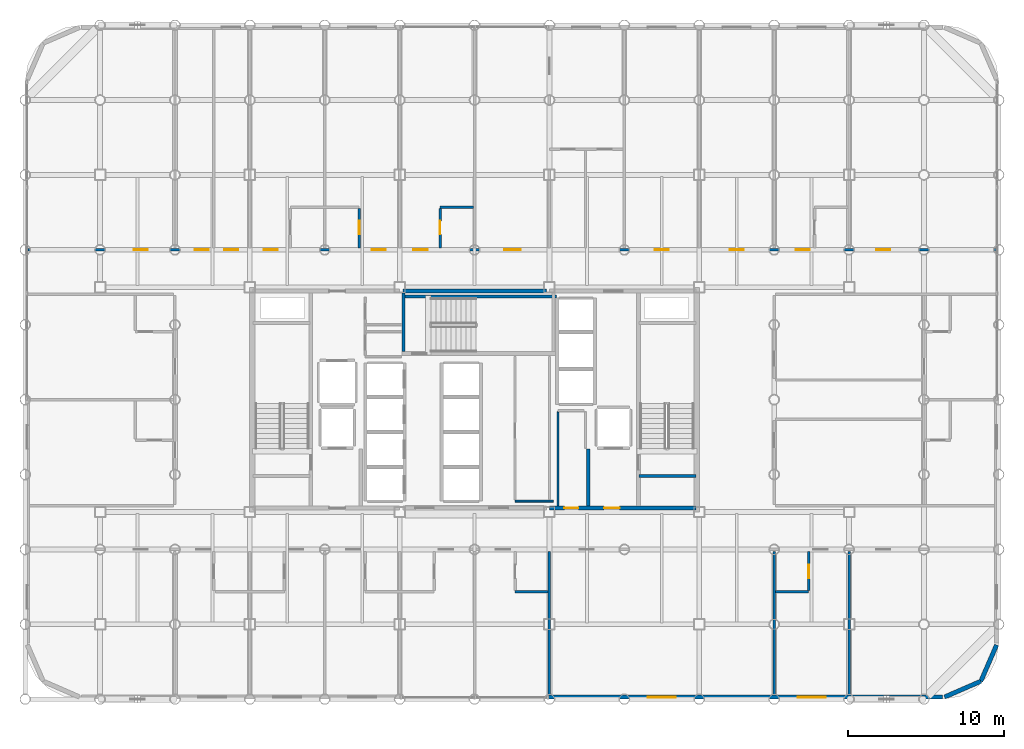
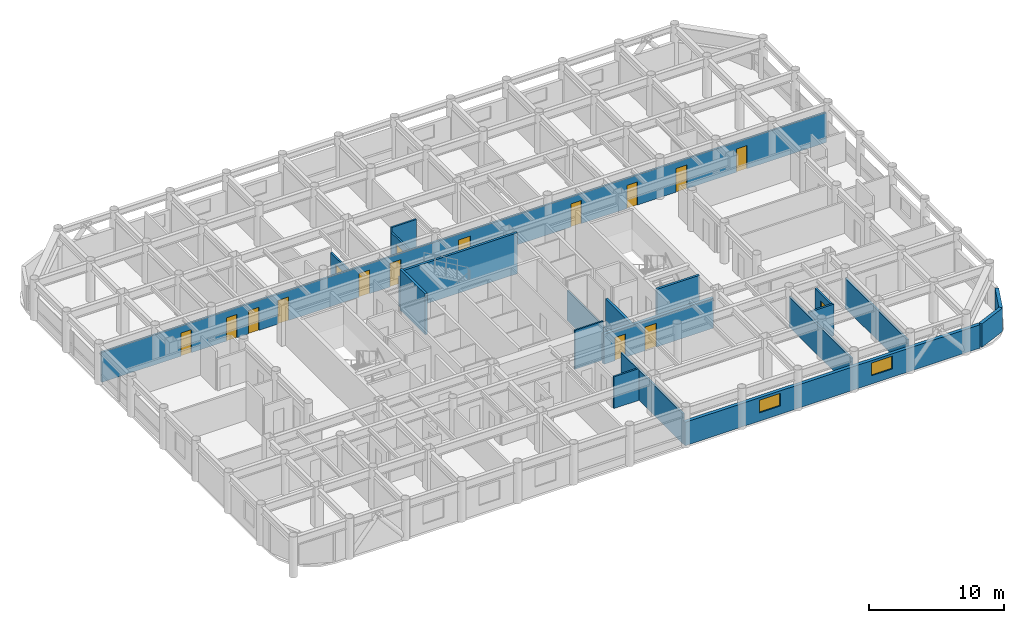
# One storey, part 19 of 22: 21 walls, 16 doors, 2 windows, 18 openings.
"""IFC4 building model written with IfcOpenShell, lengths in metres."""

from ifc_helpers import new_model, si_unit, direction, frame, frame_2d, origin, place, context, subcontext, project, spatial, rectangle, extrude, material, layer, layer_set, type_object, element, fill, save


model = new_model("IFC4")

# Units and contexts
model_context = context("Model", 3, precision=1e-05, world=origin(), true_north=direction((0.0, 1.0)))
body_context = subcontext(model_context, "Body", "Model", "MODEL_VIEW")
ifc_project = project(units=[si_unit("LENGTHUNIT", "METRE"), si_unit("AREAUNIT", "SQUARE_METRE"), si_unit("VOLUMEUNIT", "CUBIC_METRE"), si_unit("PLANEANGLEUNIT", "RADIAN"), si_unit("MASSUNIT", "GRAM", prefix="KILO")], contexts=[model_context])

# Site, building, storey
site_placement = place(None, origin())
site = spatial("IfcSite", under=ifc_project, at=site_placement, CompositionType="ELEMENT")
building_placement = place(site_placement, origin())
building = spatial("IfcBuilding", under=site, at=building_placement, Name="Kallvorn Hotel Tower", CompositionType="ELEMENT")
storey_placement = place(building_placement, frame((0.0, 0.0, 110.0)))
storey = spatial("IfcBuildingStorey", under=building, at=storey_placement, Name="L26", CompositionType="ELEMENT", Elevation=110.0)

# Walls
ifc_material_1 = material(Name="Fire-rated double-layer acoustic gypsum drywall EI 60")
ifc_layer_1 = layer(ifc_material_1, 0.159912109375)
ifc_layer_set_1 = layer_set([ifc_layer_1], Name="WL_DEMISE_160")
wall_type_1 = type_object("IfcWallType", Name="WL_DEMISE_160", PredefinedType="PARTITIONING", material=ifc_layer_set_1)
for number, where, z_axis, x_axis, name in (
    (1, (2.590087890625, -12.320068359375, 0.0), (0.0, 0.0, 1.0), (1.0, 0.0, 0.0), "L26 Suite 2609 Superior Twin Room Partition"),
    (2, (19.280029296875, -12.320068359375, 0.0), (0.0, 0.0, 1.0), (1.0, 0.0, 0.0), "L26 Suite 2610 Superior Twin Room Partition"),
):
    element("IfcWall", number, at=place(storey_placement, frame(where, z_axis=z_axis, x_axis=x_axis)), inside=storey, type_object=wall_type_1, Name=name, PredefinedType="PARTITIONING", context=body_context, shape_type="SweptSolid", body=[
        extrude(rectangle(XDim=2.1298828125, YDim=0.159912109375, at=frame_2d((1.06494140625, 0.0))), origin(), (0.0, 0.0, 1.0), 2.8701171875),
    ])

# Wall, openings, doors
wall_1_placement = place(storey_placement, frame((-28.6298828125, 9.60009765625, 0.0), z_axis=(0.0, 0.0, 1.0), x_axis=(1.0, 0.0, 0.0)))
wall_1 = element("IfcWall", 3, at=wall_1_placement, inside=storey, type_object=wall_type_1, Name="L26 Suite 2611 Standard Twin Room Partition", PredefinedType="PARTITIONING", context=body_context, shape_type="SweptSolid", body=[
    extrude(rectangle(XDim=62.059814453125, YDim=0.159912109375, at=frame_2d((31.02978515625, 0.0))), origin(), (0.0, 0.0, 1.0), 2.719970703125),
])
opening_1_placement = place(wall_1_placement, frame((6.799560546875, 0.0, 0.0)))
opening_1 = element("IfcOpeningElement", 4, at=opening_1_placement, cuts=wall_1, Name="Opening SVD1", PredefinedType="OPENING", context=body_context, shape_type="SweptSolid", body=[
    extrude(rectangle(XDim=0.89990234375, YDim=2.10009765625, at=frame_2d((0.449951171875, 1.050048828125))), frame((0.0, 0.094970703125, 0.0), z_axis=(0.0, -1.0, 0.0), x_axis=(1.0, 0.0, 0.0)), (0.0, 0.0, 1.0), 0.18994140625),
])
opening_2_placement = place(wall_1_placement, frame((54.360595703125, 0.0, 0.0)))
opening_2 = element("IfcOpeningElement", 5, at=opening_2_placement, cuts=wall_1, Name="Opening SVD1", PredefinedType="OPENING", context=body_context, shape_type="SweptSolid", body=[
    extrude(rectangle(XDim=0.89990234375, YDim=2.10009765625, at=frame_2d((0.449951171875, 1.050048828125))), frame((0.0, 0.094970703125, 0.0), z_axis=(0.0, -1.0, 0.0), x_axis=(1.0, 0.0, 0.0)), (0.0, 0.0, 1.0), 0.18994140625),
])
opening_3_placement = place(wall_1_placement, frame((10.68994140625, 0.0, 0.0)))
opening_3 = element("IfcOpeningElement", 6, at=opening_3_placement, cuts=wall_1, Name="Opening SVD1", PredefinedType="OPENING", context=body_context, shape_type="SweptSolid", body=[
    extrude(rectangle(XDim=0.89990234375, YDim=2.10009765625, at=frame_2d((0.449951171875, 1.050048828125))), frame((0.0, 0.094970703125, 0.0), z_axis=(0.0, -1.0, 0.0), x_axis=(1.0, 0.0, 0.0)), (0.0, 0.0, 1.0), 0.18994140625),
])
opening_4_placement = place(wall_1_placement, frame((12.580078125, 0.0, 0.0)))
opening_4 = element("IfcOpeningElement", 7, at=opening_4_placement, cuts=wall_1, Name="Opening SVD1", PredefinedType="OPENING", context=body_context, shape_type="SweptSolid", body=[
    extrude(rectangle(XDim=0.89990234375, YDim=2.10009765625, at=frame_2d((0.449951171875, 1.050048828125))), frame((0.0, 0.094970703125, 0.0), z_axis=(0.0, -1.0, 0.0), x_axis=(1.0, 0.0, 0.0)), (0.0, 0.0, 1.0), 0.18994140625),
])
opening_5_placement = place(wall_1_placement, frame((15.10498046875, 0.0, 0.0)))
opening_5 = element("IfcOpeningElement", 8, at=opening_5_placement, cuts=wall_1, Name="Opening GD1", PredefinedType="OPENING", context=body_context, shape_type="SweptSolid", body=[
    extrude(rectangle(XDim=0.919921875, YDim=2.14990234375, at=frame_2d((0.4599609375, 1.074951171875))), frame((0.0, 0.094970703125, 0.0), z_axis=(0.0, -1.0, 0.0), x_axis=(1.0, 0.0, 0.0)), (0.0, 0.0, 1.0), 0.18994140625),
])
opening_6_placement = place(wall_1_placement, frame((22.034912109375, 0.0, 0.0)))
opening_6 = element("IfcOpeningElement", 9, at=opening_6_placement, cuts=wall_1, Name="Opening GD1", PredefinedType="OPENING", context=body_context, shape_type="SweptSolid", body=[
    extrude(rectangle(XDim=0.919921875, YDim=2.14990234375, at=frame_2d((0.4599609375, 1.074951171875))), frame((0.0, 0.094970703125, 0.0), z_axis=(0.0, -1.0, 0.0), x_axis=(1.0, 0.0, 0.0)), (0.0, 0.0, 1.0), 0.18994140625),
])
opening_7_placement = place(wall_1_placement, frame((24.705078125, 0.0, 0.0)))
opening_7 = element("IfcOpeningElement", 10, at=opening_7_placement, cuts=wall_1, Name="Opening GD1", PredefinedType="OPENING", context=body_context, shape_type="SweptSolid", body=[
    extrude(rectangle(XDim=0.919921875, YDim=2.14990234375, at=frame_2d((0.4599609375, 1.074951171875))), frame((0.0, 0.094970703125, 0.0), z_axis=(0.0, -1.0, 0.0), x_axis=(1.0, 0.0, 0.0)), (0.0, 0.0, 1.0), 0.18994140625),
])
opening_8_placement = place(wall_1_placement, frame((30.544921875, 0.0, 0.0)))
opening_8 = element("IfcOpeningElement", 11, at=opening_8_placement, cuts=wall_1, Name="Opening GD2", PredefinedType="OPENING", context=body_context, shape_type="SweptSolid", body=[
    extrude(rectangle(XDim=1.050048828125, YDim=2.199951171875, at=frame_2d((0.52490234375, 1.10009765625))), frame((0.0, 0.094970703125, 0.0), z_axis=(0.0, -1.0, 0.0), x_axis=(1.0, 0.0, 0.0)), (0.0, 0.0, 1.0), 0.18994140625),
])
opening_9_placement = place(wall_1_placement, frame((40.179931640625, 0.0, 0.0)))
opening_9 = element("IfcOpeningElement", 12, at=opening_9_placement, cuts=wall_1, Name="Opening SVD1", PredefinedType="OPENING", context=body_context, shape_type="SweptSolid", body=[
    extrude(rectangle(XDim=0.89990234375, YDim=2.10009765625, at=frame_2d((0.449951171875, 1.050048828125))), frame((0.0, 0.094970703125, 0.0), z_axis=(0.0, -1.0, 0.0), x_axis=(1.0, 0.0, 0.0)), (0.0, 0.0, 1.0), 0.18994140625),
])
opening_10_placement = place(wall_1_placement, frame((44.97998046875, 0.0, 0.0)))
opening_10 = element("IfcOpeningElement", 13, at=opening_10_placement, cuts=wall_1, Name="Opening SVD1", PredefinedType="OPENING", context=body_context, shape_type="SweptSolid", body=[
    extrude(rectangle(XDim=0.89990234375, YDim=2.10009765625, at=frame_2d((0.449951171875, 1.050048828125))), frame((0.0, 0.094970703125, 0.0), z_axis=(0.0, -1.0, 0.0), x_axis=(1.0, 0.0, 0.0)), (0.0, 0.0, 1.0), 0.18994140625),
])
opening_11_placement = place(wall_1_placement, frame((49.199951171875, 0.0, 0.0)))
opening_11 = element("IfcOpeningElement", 14, at=opening_11_placement, cuts=wall_1, Name="Opening GD1", PredefinedType="OPENING", context=body_context, shape_type="SweptSolid", body=[
    extrude(rectangle(XDim=0.919921875, YDim=2.14990234375, at=frame_2d((0.4599609375, 1.074951171875))), frame((0.0, 0.094970703125, 0.0), z_axis=(0.0, -1.0, 0.0), x_axis=(1.0, 0.0, 0.0)), (0.0, 0.0, 1.0), 0.18994140625),
])
ifc_material_2 = material(Name="Solid-core walnut veneer fire-rated timber door leaf", Category="wood")
door_type_1 = type_object("IfcDoorType", Name="DR_GUEST_920x2150", OperationType="NOTDEFINED", PredefinedType="DOOR", material=ifc_material_2)
door_1_placement = place(opening_5_placement, origin())
door_1 = element("IfcDoor", 15, at=door_1_placement, inside=storey, type_object=door_type_1, Name="L26 Suite 2611 Standard Twin Room Door", OperationType="SINGLE_SWING_RIGHT", OverallHeight=2.14990234375, OverallWidth=0.919921875, PredefinedType="DOOR", context=body_context, shape_type="SweptSolid", body=[
    extrude(rectangle(XDim=0.919921875, YDim=2.14990234375, at=frame_2d((0.4599609375, 1.074951171875))), frame((0.0, 0.02490234375, 0.0), z_axis=(0.0, -1.0, 0.0), x_axis=(1.0, 0.0, 0.0)), (0.0, 0.0, 1.0), 0.050048828125),
])
fill(opening_5, door_1)
door_2_placement = place(opening_6_placement, origin())
door_2 = element("IfcDoor", 16, at=door_2_placement, inside=storey, type_object=door_type_1, Name="L26 Suite 2612 Standard Twin Room Door", OperationType="SINGLE_SWING_LEFT", OverallHeight=2.14990234375, OverallWidth=0.919921875, PredefinedType="DOOR", context=body_context, shape_type="SweptSolid", body=[
    extrude(rectangle(XDim=0.919921875, YDim=2.14990234375, at=frame_2d((0.4599609375, 1.074951171875))), frame((0.0, 0.02490234375, 0.0), z_axis=(0.0, -1.0, 0.0), x_axis=(1.0, 0.0, 0.0)), (0.0, 0.0, 1.0), 0.050048828125),
])
fill(opening_6, door_2)
door_3_placement = place(opening_7_placement, origin())
door_3 = element("IfcDoor", 17, at=door_3_placement, inside=storey, type_object=door_type_1, Name="L26 Suite 2613 Standard Twin Room Door", OperationType="SINGLE_SWING_LEFT", OverallHeight=2.14990234375, OverallWidth=0.919921875, PredefinedType="DOOR", context=body_context, shape_type="SweptSolid", body=[
    extrude(rectangle(XDim=0.919921875, YDim=2.14990234375, at=frame_2d((0.4599609375, 1.074951171875))), frame((0.0, 0.02490234375, 0.0), z_axis=(0.0, -1.0, 0.0), x_axis=(1.0, 0.0, 0.0)), (0.0, 0.0, 1.0), 0.050048828125),
])
fill(opening_7, door_3)
door_4_placement = place(opening_11_placement, origin())
door_4 = element("IfcDoor", 18, at=door_4_placement, inside=storey, type_object=door_type_1, Name="L26 Suite 2615 Standard Twin Room Door", OperationType="SINGLE_SWING_LEFT", OverallHeight=2.14990234375, OverallWidth=0.919921875, PredefinedType="DOOR", context=body_context, shape_type="SweptSolid", body=[
    extrude(rectangle(XDim=0.919921875, YDim=2.14990234375, at=frame_2d((0.4599609375, 1.074951171875))), frame((0.0, 0.02490234375, 0.0), z_axis=(0.0, -1.0, 0.0), x_axis=(1.0, 0.0, 0.0)), (0.0, 0.0, 1.0), 0.050048828125),
])
fill(opening_11, door_4)
ifc_material_3 = material(Name="Galvanised painted steel fire-rated door assembly", Category="steel")
door_type_2 = type_object("IfcDoorType", Name="DR_SERV_900x2100", OperationType="NOTDEFINED", PredefinedType="DOOR", material=ifc_material_3)
door_5_placement = place(opening_1_placement, origin())
door_5 = element("IfcDoor", 19, at=door_5_placement, inside=storey, type_object=door_type_2, Name="L26 L26 North-West Fitness Gymnasium Door", OperationType="SINGLE_SWING_LEFT", OverallHeight=2.10009765625, OverallWidth=0.89990234375, PredefinedType="DOOR", context=body_context, shape_type="SweptSolid", body=[
    extrude(rectangle(XDim=0.89990234375, YDim=2.10009765625, at=frame_2d((0.449951171875, 1.050048828125))), frame((0.0, 0.02490234375, 0.0), z_axis=(0.0, -1.0, 0.0), x_axis=(1.0, 0.0, 0.0)), (0.0, 0.0, 1.0), 0.050048828125),
])
fill(opening_1, door_5)
door_6_placement = place(opening_2_placement, origin())
door_6 = element("IfcDoor", 20, at=door_6_placement, inside=storey, type_object=door_type_2, Name="L26 L26 North-East Reading Club Door", OperationType="SINGLE_SWING_RIGHT", OverallHeight=2.10009765625, OverallWidth=0.89990234375, PredefinedType="DOOR", context=body_context, shape_type="SweptSolid", body=[
    extrude(rectangle(XDim=0.89990234375, YDim=2.10009765625, at=frame_2d((0.449951171875, 1.050048828125))), frame((0.0, 0.02490234375, 0.0), z_axis=(0.0, -1.0, 0.0), x_axis=(1.0, 0.0, 0.0)), (0.0, 0.0, 1.0), 0.050048828125),
])
fill(opening_2, door_6)
door_7_placement = place(opening_3_placement, origin())
door_7 = element("IfcDoor", 21, at=door_7_placement, inside=storey, type_object=door_type_2, Name="L26 Housekeeping and Linen Room Door", OperationType="SINGLE_SWING_LEFT", OverallHeight=2.10009765625, OverallWidth=0.89990234375, PredefinedType="DOOR", context=body_context, shape_type="SweptSolid", body=[
    extrude(rectangle(XDim=0.89990234375, YDim=2.10009765625, at=frame_2d((0.449951171875, 1.050048828125))), frame((0.0, 0.02490234375, 0.0), z_axis=(0.0, -1.0, 0.0), x_axis=(1.0, 0.0, 0.0)), (0.0, 0.0, 1.0), 0.050048828125),
])
fill(opening_3, door_7)
door_8_placement = place(opening_4_placement, origin())
door_8 = element("IfcDoor", 22, at=door_8_placement, inside=storey, type_object=door_type_2, Name="L26 Guest Tea and Refreshment Bar Door", OperationType="SINGLE_SWING_LEFT", OverallHeight=2.10009765625, OverallWidth=0.89990234375, PredefinedType="DOOR", context=body_context, shape_type="SweptSolid", body=[
    extrude(rectangle(XDim=0.89990234375, YDim=2.10009765625, at=frame_2d((0.449951171875, 1.050048828125))), frame((0.0, 0.02490234375, 0.0), z_axis=(0.0, -1.0, 0.0), x_axis=(1.0, 0.0, 0.0)), (0.0, 0.0, 1.0), 0.050048828125),
])
fill(opening_4, door_8)
door_9_placement = place(opening_9_placement, origin())
door_9 = element("IfcDoor", 23, at=door_9_placement, inside=storey, type_object=door_type_2, Name="L26 L26 Diplomatic Summit Conference Boardroom 6-1 Door", OperationType="SINGLE_SWING_RIGHT", OverallHeight=2.10009765625, OverallWidth=0.89990234375, PredefinedType="DOOR", context=body_context, shape_type="SweptSolid", body=[
    extrude(rectangle(XDim=0.89990234375, YDim=2.10009765625, at=frame_2d((0.449951171875, 1.050048828125))), frame((0.0, 0.02490234375, 0.0), z_axis=(0.0, -1.0, 0.0), x_axis=(1.0, 0.0, 0.0)), (0.0, 0.0, 1.0), 0.050048828125),
])
fill(opening_9, door_9)
door_10_placement = place(opening_10_placement, origin())
door_10 = element("IfcDoor", 24, at=door_10_placement, inside=storey, type_object=door_type_2, Name="L26 L26 Diplomatic Summit Conference Boardroom 6-2 Door", OperationType="SINGLE_SWING_LEFT", OverallHeight=2.10009765625, OverallWidth=0.89990234375, PredefinedType="DOOR", context=body_context, shape_type="SweptSolid", body=[
    extrude(rectangle(XDim=0.89990234375, YDim=2.10009765625, at=frame_2d((0.449951171875, 1.050048828125))), frame((0.0, 0.02490234375, 0.0), z_axis=(0.0, -1.0, 0.0), x_axis=(1.0, 0.0, 0.0)), (0.0, 0.0, 1.0), 0.050048828125),
])
fill(opening_10, door_10)
ifc_material_4 = material(Name="Solid-core walnut veneer fire-rated timber door leaf", Category="wood")
door_type_3 = type_object("IfcDoorType", Name="DR_SUITE_1050x2200", OperationType="NOTDEFINED", PredefinedType="DOOR", material=ifc_material_4)
door_11_placement = place(opening_8_placement, origin())
door_11 = element("IfcDoor", 25, at=door_11_placement, inside=storey, type_object=door_type_3, Name="L26 Suite 2614 Junior Living Salon Door", OperationType="SINGLE_SWING_LEFT", OverallHeight=2.199951171875, OverallWidth=1.050048828125, PredefinedType="DOOR", context=body_context, shape_type="SweptSolid", body=[
    extrude(rectangle(XDim=1.050048828125, YDim=2.199951171875, at=frame_2d((0.52490234375, 1.10009765625))), frame((0.0, 0.02490234375, 0.0), z_axis=(0.0, -1.0, 0.0), x_axis=(1.0, 0.0, 0.0)), (0.0, 0.0, 1.0), 0.050048828125),
])
fill(opening_8, door_11)

# Wall
wall_2_placement = place(storey_placement, frame((-2.2099609375, 12.320068359375, 0.0), z_axis=(0.0, 0.0, 1.0), x_axis=(1.0, 0.0, 0.0)))
element("IfcWall", 26, at=wall_2_placement, inside=storey, type_object=wall_type_1, Name="L26 Suite 2613 Standard Twin Room Partition", PredefinedType="PARTITIONING", context=body_context, shape_type="SweptSolid", body=[
    extrude(rectangle(XDim=2.1298828125, YDim=0.159912109375, at=frame_2d((1.06494140625, 0.0))), origin(), (0.0, 0.0, 1.0), 3.1201171875),
])

# Wall, opening, door
wall_3_placement = place(storey_placement, frame((-7.389892578125, 9.719970703125, 0.0), z_axis=(0.0, 0.0, 1.0), x_axis=(0.0, 1.0, 0.0)))
wall_3 = element("IfcWall", 27, at=wall_3_placement, inside=storey, type_object=wall_type_1, Name="L26 Suite 2612 Standard Twin Room Partition", PredefinedType="PARTITIONING", context=body_context, shape_type="SweptSolid", body=[
    extrude(rectangle(XDim=2.51513671875, YDim=0.159912109375, at=frame_2d((1.257568359375, 0.0))), origin(), (0.0, 0.0, 1.0), 2.719970703125),
])
opening_12_placement = place(wall_3_placement, frame((0.8701171875, 0.0, 0.0)))
opening_12 = element("IfcOpeningElement", 28, at=opening_12_placement, cuts=wall_3, Name="Opening BD-I", PredefinedType="OPENING", context=body_context, shape_type="SweptSolid", body=[
    extrude(rectangle(XDim=0.860107421875, YDim=2.10009765625, at=frame_2d((0.43017578125, 1.050048828125))), frame((0.0, 0.094970703125, 0.0), z_axis=(0.0, -1.0, 0.0), x_axis=(1.0, 0.0, 0.0)), (0.0, 0.0, 1.0), 0.18994140625),
])
ifc_material_5 = material(Name="Solid-core walnut veneer fire-rated timber door leaf", Category="wood")
door_type_4 = type_object("IfcDoorType", Name="DR_BATH_860x2100", OperationType="NOTDEFINED", PredefinedType="DOOR", material=ifc_material_5)
door_12_placement = place(opening_12_placement, origin())
door_12 = element("IfcDoor", 29, at=door_12_placement, inside=storey, type_object=door_type_4, Name="L26 Suite 2612 En-Suite Bathroom Door", OperationType="SINGLE_SWING_RIGHT", OverallHeight=2.10009765625, OverallWidth=0.860107421875, PredefinedType="DOOR", context=body_context, shape_type="SweptSolid", body=[
    extrude(rectangle(XDim=0.860107421875, YDim=2.10009765625, at=frame_2d((0.43017578125, 1.050048828125))), frame((0.0, 0.02490234375, 0.0), z_axis=(0.0, -1.0, 0.0), x_axis=(1.0, 0.0, 0.0)), (0.0, 0.0, 1.0), 0.050048828125),
])
fill(opening_12, door_12)

wall_4_placement = place(storey_placement, frame((-2.2099609375, 9.719970703125, 0.0), z_axis=(0.0, 0.0, 1.0), x_axis=(0.0, 1.0, 0.0)))
wall_4 = element("IfcWall", 30, at=wall_4_placement, inside=storey, type_object=wall_type_1, Name="L26 Suite 2613 Standard Twin Room Partition", PredefinedType="PARTITIONING", context=body_context, shape_type="SweptSolid", body=[
    extrude(rectangle(XDim=2.51513671875, YDim=0.159912109375, at=frame_2d((1.257568359375, 0.0))), origin(), (0.0, 0.0, 1.0), 2.719970703125),
])
opening_13_placement = place(wall_4_placement, frame((0.8701171875, 0.0, 0.0)))
opening_13 = element("IfcOpeningElement", 31, at=opening_13_placement, cuts=wall_4, Name="Opening BD-I", PredefinedType="OPENING", context=body_context, shape_type="SweptSolid", body=[
    extrude(rectangle(XDim=0.860107421875, YDim=2.10009765625, at=frame_2d((0.43017578125, 1.050048828125))), frame((0.0, 0.094970703125, 0.0), z_axis=(0.0, -1.0, 0.0), x_axis=(1.0, 0.0, 0.0)), (0.0, 0.0, 1.0), 0.18994140625),
])
door_13_placement = place(opening_13_placement, origin())
door_13 = element("IfcDoor", 32, at=door_13_placement, inside=storey, type_object=door_type_4, Name="L26 Suite 2613 En-Suite Bathroom Door", OperationType="SINGLE_SWING_LEFT", OverallHeight=2.10009765625, OverallWidth=0.860107421875, PredefinedType="DOOR", context=body_context, shape_type="SweptSolid", body=[
    extrude(rectangle(XDim=0.860107421875, YDim=2.10009765625, at=frame_2d((0.43017578125, 1.050048828125))), frame((0.0, 0.02490234375, 0.0), z_axis=(0.0, -1.0, 0.0), x_axis=(1.0, 0.0, 0.0)), (0.0, 0.0, 1.0), 0.050048828125),
])
fill(opening_13, door_13)

# Walls
for number, where, z_axis, x_axis, name in (
    (33, (4.800048828125, -18.909912109375, 0.0), (0.0, 0.0, 1.0), (0.0, 1.0, 0.0), "L26 Suite 2609 Superior Twin Room Partition"),
    (34, (19.199951171875, -18.909912109375, 0.0), (0.0, 0.0, 1.0), (0.0, 1.0, 0.0), "L26 Suite 2610 Superior Twin Room Partition"),
):
    element("IfcWall", number, at=place(storey_placement, frame(where, z_axis=z_axis, x_axis=x_axis)), inside=storey, type_object=wall_type_1, Name=name, PredefinedType="PARTITIONING", context=body_context, shape_type="SweptSolid", body=[
        extrude(rectangle(XDim=9.18994140625, YDim=0.159912109375, at=frame_2d((4.594970703125, 0.0))), origin(), (0.0, 0.0, 1.0), 2.719970703125),
    ])

# Wall, opening, door
wall_5_placement = place(storey_placement, frame((21.409912109375, -12.235107421875, 0.0), z_axis=(0.0, 0.0, 1.0), x_axis=(0.0, 1.0, 0.0)))
wall_5 = element("IfcWall", 35, at=wall_5_placement, inside=storey, type_object=wall_type_1, Name="L26 Suite 2610 Superior Twin Room Partition", PredefinedType="PARTITIONING", context=body_context, shape_type="SweptSolid", body=[
    extrude(rectangle(XDim=2.51513671875, YDim=0.159912109375, at=frame_2d((1.257568359375, 0.0))), origin(), (0.0, 0.0, 1.0), 2.719970703125),
])
opening_14_placement = place(wall_5_placement, frame((0.784912109375, 0.0, 0.0)))
opening_14 = element("IfcOpeningElement", 36, at=opening_14_placement, cuts=wall_5, Name="Opening BD-I", PredefinedType="OPENING", context=body_context, shape_type="SweptSolid", body=[
    extrude(rectangle(XDim=0.860107421875, YDim=2.10009765625, at=frame_2d((0.43017578125, 1.050048828125))), frame((0.0, 0.094970703125, 0.0), z_axis=(0.0, -1.0, 0.0), x_axis=(1.0, 0.0, 0.0)), (0.0, 0.0, 1.0), 0.18994140625),
])
door_14_placement = place(opening_14_placement, origin())
door_14 = element("IfcDoor", 37, at=door_14_placement, inside=storey, type_object=door_type_4, Name="L26 Suite 2610 En-Suite Bathroom Door", OperationType="SINGLE_SWING_RIGHT", OverallHeight=2.10009765625, OverallWidth=0.860107421875, PredefinedType="DOOR", context=body_context, shape_type="SweptSolid", body=[
    extrude(rectangle(XDim=0.860107421875, YDim=2.10009765625, at=frame_2d((0.43017578125, 1.050048828125))), frame((0.0, 0.02490234375, 0.0), z_axis=(0.0, -1.0, 0.0), x_axis=(1.0, 0.0, 0.0)), (0.0, 0.0, 1.0), 0.050048828125),
])
fill(opening_14, door_14)

# Walls
wall_6_placement = place(storey_placement, frame((24.0, -18.909912109375, 0.0), z_axis=(0.0, 0.0, 1.0), x_axis=(0.0, 1.0, 0.0)))
element("IfcWall", 38, at=wall_6_placement, inside=storey, type_object=wall_type_1, Name="L26 Suite 2610 Superior Twin Room Partition", PredefinedType="PARTITIONING", context=body_context, shape_type="SweptSolid", body=[
    extrude(rectangle(XDim=9.18994140625, YDim=0.159912109375, at=frame_2d((4.594970703125, 0.0))), origin(), (0.0, 0.0, 1.0), 2.719970703125),
])
ifc_material_6 = material(Name="Precast basalt-clad insulated concrete wall C40/50", Category="masonry")
ifc_layer_2 = layer(ifc_material_6, 0.280029296875)
ifc_layer_set_2 = layer_set([ifc_layer_2], Name="WL_EXT_LOGGIA_280")
wall_type_2 = type_object("IfcWallType", Name="WL_EXT_LOGGIA_280", PredefinedType="SOLIDWALL", material=ifc_layer_set_2)
wall_7_placement = place(storey_placement, frame((30.120849609375, -19.057861328125, 0.0), z_axis=(0.0, 0.0, 1.0), x_axis=(0.917060872934, 0.398747232384, 0.0)))
element("IfcWall", 39, at=wall_7_placement, inside=storey, type_object=wall_type_2, Name="L26 Rounded Corner Exterior Wall SE1", PredefinedType="SOLIDWALL", context=body_context, shape_type="SweptSolid", body=[
    extrude(rectangle(XDim=2.5361328125, YDim=0.280029296875, at=frame_2d((1.26806640625, 0.0))), origin(), (0.0, 0.0, 1.0), 2.1201171875),
])
wall_8_placement = place(storey_placement, frame((32.446533203125, -18.046630859375, 0.0), z_axis=(0.0, 0.0, 1.0), x_axis=(0.398792985289, 0.917040977756, 0.0)))
element("IfcWall", 40, at=wall_8_placement, inside=storey, type_object=wall_type_2, Name="L26 Rounded Corner Exterior Wall SE2", PredefinedType="SOLIDWALL", context=body_context, shape_type="SweptSolid", body=[
    extrude(rectangle(XDim=2.536376953125, YDim=0.280029296875, at=frame_2d((1.26806640625, 0.0))), origin(), (0.0, 0.0, 1.0), 2.1201171875),
])

# Wall, openings, windows
wall_9_placement = place(storey_placement, frame((4.75, -19.06005859375, 0.0), z_axis=(0.0, 0.0, 1.0), x_axis=(1.0, 0.0, 0.0)))
wall_9 = element("IfcWall", 41, at=wall_9_placement, inside=storey, type_object=wall_type_2, Name="L26 Exterior Envelope Wall EW-L26-SE", PredefinedType="SOLIDWALL", context=body_context, shape_type="SweptSolid", body=[
    extrude(rectangle(XDim=25.25, YDim=0.280029296875, at=frame_2d((12.625, 0.0))), origin(), (0.0, 0.0, 1.0), 2.1201171875),
])
opening_15_placement = place(wall_9_placement, frame((6.35009765625, 0.0, 0.75)))
opening_15 = element("IfcOpeningElement", 42, at=opening_15_placement, cuts=wall_9, Name="Opening W04A", PredefinedType="OPENING", context=body_context, shape_type="SweptSolid", body=[
    extrude(rectangle(XDim=1.800048828125, YDim=1.14990234375, at=frame_2d((0.89990234375, 0.574951171875))), frame((0.0, 0.155029296875, 0.0), z_axis=(0.0, -1.0, 0.0), x_axis=(1.0, 0.0, 0.0)), (0.0, 0.0, 1.0), 0.31005859375),
])
opening_16_placement = place(wall_9_placement, frame((15.949951171875, 0.0, 0.75)))
opening_16 = element("IfcOpeningElement", 43, at=opening_16_placement, cuts=wall_9, Name="Opening W04A", PredefinedType="OPENING", context=body_context, shape_type="SweptSolid", body=[
    extrude(rectangle(XDim=1.800048828125, YDim=1.14990234375, at=frame_2d((0.89990234375, 0.574951171875))), frame((0.0, 0.155029296875, 0.0), z_axis=(0.0, -1.0, 0.0), x_axis=(1.0, 0.0, 0.0)), (0.0, 0.0, 1.0), 0.31005859375),
])
ifc_material_7 = material(Name="Double-glazed low-e solar-control dark glass", Category="glass")
window_type = type_object("IfcWindowType", Name="WN_HTL_1800x1150", PartitioningType="SINGLE_PANEL", PredefinedType="WINDOW", material=ifc_material_7)
window_1_placement = place(opening_15_placement, origin())
window_1 = element("IfcWindow", 44, at=window_1_placement, inside=storey, type_object=window_type, Name="L26 Guestroom Exterior Window 08", OverallHeight=1.14990234375, OverallWidth=1.800048828125, PartitioningType="SINGLE_PANEL", PredefinedType="WINDOW", context=body_context, shape_type="SweptSolid", body=[
    extrude(rectangle(XDim=1.800048828125, YDim=1.14990234375, at=frame_2d((0.89990234375, 0.574951171875))), frame((0.0, 0.030029296875, 0.0), z_axis=(0.0, -1.0, 0.0), x_axis=(1.0, 0.0, 0.0)), (0.0, 0.0, 1.0), 0.06005859375),
])
fill(opening_15, window_1)
window_2_placement = place(opening_16_placement, origin())
window_2 = element("IfcWindow", 45, at=window_2_placement, inside=storey, type_object=window_type, Name="L26 Guestroom Exterior Window 09", OverallHeight=1.14990234375, OverallWidth=1.800048828125, PartitioningType="SINGLE_PANEL", PredefinedType="WINDOW", context=body_context, shape_type="SweptSolid", body=[
    extrude(rectangle(XDim=1.800048828125, YDim=1.14990234375, at=frame_2d((0.89990234375, 0.574951171875))), frame((0.0, 0.030029296875, 0.0), z_axis=(0.0, -1.0, 0.0), x_axis=(1.0, 0.0, 0.0)), (0.0, 0.0, 1.0), 0.06005859375),
])
fill(opening_16, window_2)

# Walls
ifc_material_8 = material(Name="Concrete C40/50", Category="concrete")
ifc_layer_3 = layer(ifc_material_8, 0.219970703125)
ifc_layer_set_3 = layer_set([ifc_layer_3], Name="WL_FFL_220")
wall_type_3 = type_object("IfcWallType", Name="WL_FFL_220", PredefinedType="SOLIDWALL", material=ifc_layer_set_3)
wall_10_placement = place(storey_placement, frame((7.300048828125, -6.820068359375, 0.0), z_axis=(0.0, 0.0, 1.0), x_axis=(0.0, 1.0, 0.0)))
element("IfcWall", 46, at=wall_10_placement, inside=storey, type_object=wall_type_3, Name="L26 Firefighting Lobby East Divider Wall", PredefinedType="SOLIDWALL", context=body_context, shape_type="SweptSolid", body=[
    extrude(rectangle(XDim=3.670166015625, YDim=0.219970703125, at=frame_2d((1.8349609375, 0.0))), origin(), (0.0, 0.0, 1.0), 2.719970703125),
])
ifc_material_9 = material(Name="Concrete C40/50", Category="concrete")
ifc_layer_4 = layer(ifc_material_9, 0.199951171875)
ifc_layer_set_4 = layer_set([ifc_layer_4], Name="WL_HOIST_200")
wall_type_4 = type_object("IfcWallType", Name="WL_HOIST_200", PredefinedType="SOLIDWALL", material=ifc_layer_set_4)
wall_11_placement = place(storey_placement, frame((10.550048828125, -4.89990234375, -0.179931640625), z_axis=(0.0, 0.0, 1.0), x_axis=(1.0, 0.0, 0.0)))
element("IfcWall", 47, at=wall_11_placement, inside=storey, type_object=wall_type_4, Name="L26 Stair ST2 South Wall", PredefinedType="SOLIDWALL", context=body_context, shape_type="SweptSolid", body=[
    extrude(rectangle(XDim=3.64990234375, YDim=0.199951171875, at=frame_2d((1.824951171875, 0.0))), origin(), (0.0, 0.0, 1.0), 3.699951171875),
])
wall_12_placement = place(storey_placement, frame((-4.64990234375, 6.610107421875, -0.179931640625), z_axis=(0.0, 0.0, 1.0), x_axis=(1.0, 0.0, 0.0)))
element("IfcWall", 48, at=wall_12_placement, inside=storey, type_object=wall_type_4, Name="L26 Stair ST3 Shaft North Wall", PredefinedType="SOLIDWALL", context=body_context, shape_type="SweptSolid", body=[
    extrude(rectangle(XDim=9.89990234375, YDim=0.199951171875, at=frame_2d((4.949951171875, 0.0))), origin(), (0.0, 0.0, 1.0), 3.699951171875),
])
wall_13_placement = place(storey_placement, frame((-4.550048828125, 3.080078125, -0.179931640625), z_axis=(0.0, 0.0, 1.0), x_axis=(0.0, 1.0, 0.0)))
element("IfcWall", 49, at=wall_13_placement, inside=storey, type_object=wall_type_4, Name="L26 Stair ST3 West Wall", PredefinedType="SOLIDWALL", context=body_context, shape_type="SweptSolid", body=[
    extrude(rectangle(XDim=3.739990234375, YDim=0.199951171875, at=frame_2d((1.8701171875, 0.0))), origin(), (0.0, 0.0, 1.0), 3.699951171875),
])
ifc_material_10 = material(Name="Fire-rated double-layer acoustic gypsum drywall EI 60")
ifc_layer_5 = layer(ifc_material_10, 0.1201171875)
ifc_layer_set_5 = layer_set([ifc_layer_5], Name="WL_INT_120")
wall_type_5 = type_object("IfcWallType", Name="WL_INT_120", PredefinedType="PARTITIONING", material=ifc_layer_set_5)
wall_14_placement = place(storey_placement, frame((2.60009765625, -6.5, 0.0), z_axis=(0.0, 0.0, 1.0), x_axis=(1.0, 0.0, 0.0)))
element("IfcWall", 50, at=wall_14_placement, inside=storey, type_object=wall_type_5, Name="L26 East Core Consolidated Linen and Supply Store Partition", PredefinedType="PARTITIONING", context=body_context, shape_type="SweptSolid", body=[
    extrude(rectangle(XDim=2.449951171875, YDim=0.1201171875, at=frame_2d((1.22509765625, 0.0))), origin(), (0.0, 0.0, 1.0), 3.52001953125),
])
wall_15_placement = place(storey_placement, frame((5.35009765625, -6.800048828125, 0.0), z_axis=(0.0, 0.0, 1.0), x_axis=(0.0, 1.0, 0.0)))
element("IfcWall", 51, at=wall_15_placement, inside=storey, type_object=wall_type_5, Name="L26 Core Utility and Meter Room Partition", PredefinedType="PARTITIONING", context=body_context, shape_type="SweptSolid", body=[
    extrude(rectangle(XDim=6.01513671875, YDim=0.1201171875, at=frame_2d((3.007568359375, 0.0))), origin(), (0.0, 0.0, 1.0), 2.719970703125),
])

# Wall, openings, doors
ifc_material_11 = material(Name="Concrete C40/50", Category="concrete")
ifc_layer_6 = layer(ifc_material_11, 0.25)
ifc_layer_set_6 = layer_set([ifc_layer_6], Name="WL_SHAFT_250")
wall_type_6 = type_object("IfcWallType", Name="WL_SHAFT_250", PredefinedType="SOLIDWALL", material=ifc_layer_set_6)
wall_16_placement = place(storey_placement, frame((4.800048828125, -6.949951171875, 0.0), z_axis=(0.0, 0.0, 1.0), x_axis=(1.0, 0.0, 0.0)))
wall_16 = element("IfcWall", 52, at=wall_16_placement, inside=storey, type_object=wall_type_6, Name="L26 Core South-East Wall", PredefinedType="SOLIDWALL", context=body_context, shape_type="SweptSolid", body=[
    extrude(rectangle(XDim=9.39990234375, YDim=0.25, at=frame_2d((4.699951171875, 0.0))), origin(), (0.0, 0.0, 1.0), 2.719970703125),
])
opening_17_placement = place(wall_16_placement, frame((3.5, 0.0, 0.0)))
opening_17 = element("IfcOpeningElement", 53, at=opening_17_placement, cuts=wall_16, Name="Opening FD1", PredefinedType="OPENING", context=body_context, shape_type="SweptSolid", body=[
    extrude(rectangle(XDim=1.0, YDim=2.14990234375, at=frame_2d((0.5, 1.074951171875))), frame((0.0, 0.139892578125, 0.0), z_axis=(0.0, -1.0, 0.0), x_axis=(1.0, 0.0, 0.0)), (0.0, 0.0, 1.0), 0.280029296875),
])
opening_18_placement = place(wall_16_placement, frame((0.949951171875, 0.0, 0.0)))
opening_18 = element("IfcOpeningElement", 54, at=opening_18_placement, cuts=wall_16, Name="Opening SVD1", PredefinedType="OPENING", context=body_context, shape_type="SweptSolid", body=[
    extrude(rectangle(XDim=0.89990234375, YDim=2.10009765625, at=frame_2d((0.449951171875, 1.050048828125))), frame((0.0, 0.139892578125, 0.0), z_axis=(0.0, -1.0, 0.0), x_axis=(1.0, 0.0, 0.0)), (0.0, 0.0, 1.0), 0.280029296875),
])
ifc_material_12 = material(Name="Galvanised painted steel fire-rated door assembly", Category="steel")
door_type_5 = type_object("IfcDoorType", Name="DR_FFL_1000x2150", OperationType="NOTDEFINED", PredefinedType="DOOR", material=ifc_material_12)
door_15_placement = place(opening_17_placement, origin())
door_15 = element("IfcDoor", 55, at=door_15_placement, inside=storey, type_object=door_type_5, Name="L26 Firefighting Lobby East Door", OperationType="SINGLE_SWING_RIGHT", OverallHeight=2.14990234375, OverallWidth=1.0, PredefinedType="DOOR", context=body_context, shape_type="SweptSolid", body=[
    extrude(rectangle(XDim=1.0, YDim=2.14990234375, at=frame_2d((0.5, 1.074951171875))), frame((0.0, 0.02490234375, 0.0), z_axis=(0.0, -1.0, 0.0), x_axis=(1.0, 0.0, 0.0)), (0.0, 0.0, 1.0), 0.050048828125),
])
fill(opening_17, door_15)
door_16_placement = place(opening_18_placement, origin())
door_16 = element("IfcDoor", 56, at=door_16_placement, inside=storey, type_object=door_type_2, Name="L26 Core Utility and Meter Room Door", OperationType="SINGLE_SWING_LEFT", OverallHeight=2.10009765625, OverallWidth=0.89990234375, PredefinedType="DOOR", context=body_context, shape_type="SweptSolid", body=[
    extrude(rectangle(XDim=0.89990234375, YDim=2.10009765625, at=frame_2d((0.449951171875, 1.050048828125))), frame((0.0, 0.02490234375, 0.0), z_axis=(0.0, -1.0, 0.0), x_axis=(1.0, 0.0, 0.0)), (0.0, 0.0, 1.0), 0.050048828125),
])
fill(opening_18, door_16)

# Wall
wall_17_placement = place(storey_placement, frame((-4.60009765625, 6.949951171875, 0.0), z_axis=(0.0, 0.0, 1.0), x_axis=(1.0, 0.0, 0.0)))
element("IfcWall", 57, at=wall_17_placement, inside=storey, type_object=wall_type_6, Name="L26 Core North-Central Wall", PredefinedType="SOLIDWALL", context=body_context, shape_type="SweptSolid", body=[
    extrude(rectangle(XDim=9.2001953125, YDim=0.25, at=frame_2d((4.60009765625, 0.0))), origin(), (0.0, 0.0, 1.0), 2.719970703125),
])

save(model, "model.ifc")
